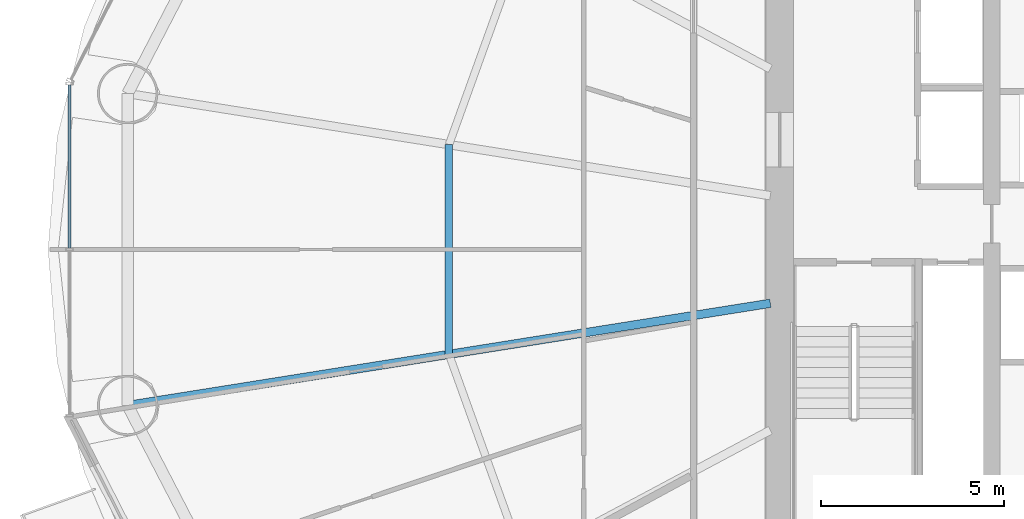
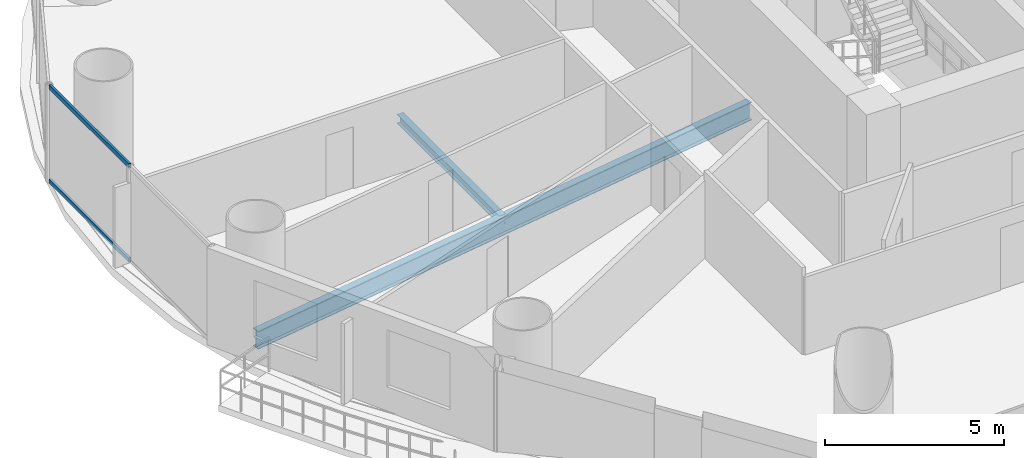
# One storey, part 7 of 29: 2 beams, 2 members, 1 element without a shape of its own.
"""IFC4 building model written with IfcOpenShell, lengths in metres."""

from ifc_helpers import new_model, si_unit, direction, frame, origin, origin_2d, place, context, subcontext, project, spatial, hollow_rectangle, i_section, extrude, source, transform, mapped, material, material_profile, profile_set, type_object, element, aggregate, save


model = new_model("IFC4")

# Units and contexts
model_context = context("Model", 3, precision=1e-05, world=origin(), true_north=direction((-0.2419218956, 0.970295726276)))
body_context = subcontext(model_context, "Body", "Model", "MODEL_VIEW")
ifc_project = project(units=[si_unit("LENGTHUNIT", "METRE"), si_unit("AREAUNIT", "SQUARE_METRE"), si_unit("VOLUMEUNIT", "CUBIC_METRE"), si_unit("PLANEANGLEUNIT", "RADIAN"), si_unit("MASSUNIT", "GRAM", prefix="KILO")], contexts=[model_context])

# Site, building, storey
site_placement = place(None, origin())
site = spatial("IfcSite", under=ifc_project, at=site_placement, CompositionType="ELEMENT")
building_placement = place(site_placement, origin())
building = spatial("IfcBuilding", under=site, at=building_placement, Name="Cobrevalo Terracotta Tower", CompositionType="ELEMENT")
storey_placement = place(building_placement, frame((0.0, 0.0, 67.199951171875)))
storey = spatial("IfcBuildingStorey", under=building, at=storey_placement, Name="L17", CompositionType="ELEMENT", Elevation=67.199951171875)

# Beams
ifc_material_1 = material(Name="Steel S355", Category="steel")
ifc_material_profile_1 = material_profile(ifc_material_1, i_section(OverallWidth=0.22998046875, OverallDepth=0.616943359375, WebThickness=0.01318359375, FlangeThickness=0.022216796875, at=origin_2d()), Name="W 610x140")
ifc_profile_set_1 = profile_set([ifc_material_profile_1], Name="Steel S355")
beam_type_1 = type_object("IfcBeamType", Name="Structural Beam W 610x140 (Steel S355)", PredefinedType="BEAM", material=ifc_profile_set_1)
beam_1_placement = place(storey_placement, frame((11.175537109375, 22.537353515625, -0.58837890625), z_axis=(0.987607924622, 0.156941349628, 0.0), x_axis=(-0.156941349628, 0.987607924622, 0.0)))
element("IfcBeam", 1, at=beam_1_placement, inside=storey, type_object=beam_type_1, Name="L17 radial floor girder 09", PredefinedType="BEAM", context=body_context, shape_type="SweptSolid", body=[
    extrude(i_section(OverallWidth=0.22998046875, OverallDepth=0.616943359375, WebThickness=0.01318359375, FlangeThickness=0.022216796875, at=origin_2d()), origin(), (0.0, 0.0, 1.0), 17.7900390625),
])
ifc_material_profile_2 = material_profile(ifc_material_1, i_section(OverallWidth=0.2041015625, OverallDepth=0.305908203125, WebThickness=0.008544921875, FlangeThickness=0.0146484375, at=origin_2d()), Name="W 310x67")
ifc_profile_set_2 = profile_set([ifc_material_profile_2], Name="Steel S355")
beam_type_2 = type_object("IfcBeamType", Name="Structural Joist W 310x67 (Steel S355)", PredefinedType="JOIST", material=ifc_profile_set_2)
beam_2_placement = place(storey_placement, frame((19.960205078125, 29.666748046875, -0.432861328125), z_axis=(0.0, -1.0, 0.0), x_axis=(1.0, 0.0, 0.0)))
element("IfcBeam", 2, at=beam_2_placement, inside=storey, type_object=beam_type_2, Name="L17 circumferential secondary floor joist 08", PredefinedType="JOIST", context=body_context, shape_type="SweptSolid", body=[
    extrude(i_section(OverallWidth=0.2041015625, OverallDepth=0.305908203125, WebThickness=0.008544921875, FlangeThickness=0.0146484375, at=origin_2d()), origin(), (0.0, 0.0, 1.0), 5.7333984375),
])

# Curtain wall, members
ifc_material_2 = material(Name="Anodized aluminium", Category="aluminium")
curtain_wall_type = type_object("IfcCurtainWallType", Name="Lower-tower unitised acoustic low-E curtain wall CW-U1", PredefinedType="NOTDEFINED", material=ifc_material_2)
curtain_wall_placement = place(storey_placement, origin())
curtain_wall = element("IfcCurtainWall", 3, at=curtain_wall_placement, inside=storey, type_object=curtain_wall_type, Name="L17 curtain wall CW-L17-S08", PredefinedType="NOTDEFINED")
ifc_material_profile_3 = material_profile(ifc_material_2, hollow_rectangle(XDim=0.074951171875, YDim=0.14990234375, WallThickness=0.00439453125, at=origin_2d()), Name="CWT 75x150")
ifc_profile_set_3 = profile_set([ifc_material_profile_3], Name="Anodized aluminium")
member_type = type_object("IfcMemberType", Name="Tower unitised aluminium transom 75x150", PredefinedType="USERDEFINED", material=ifc_profile_set_3)
shared_shape = source(origin(), body_context, "Body", "SweptSolid", [
    extrude(hollow_rectangle(XDim=0.074951171875, YDim=0.14990234375, WallThickness=0.00439453125, at=origin_2d()), origin(), (0.0, 0.0, 1.0), 4.458740234375),
])
member_1_placement = place(storey_placement, frame((9.586669921875, 31.298828125, 0.050048828125), z_axis=(0.0, -1.0, 0.0), x_axis=(1.0, 0.0, 0.0)))
member_1 = element("IfcMember", 4, at=member_1_placement, type_object=member_type, Name="CW-L17-S08 transom B01-T1", ObjectType="TRANSOM", PredefinedType="USERDEFINED", context=body_context, shape_type="MappedRepresentation", body=[
    mapped(shared_shape, transform((0.0, 0.0, 0.0), scale=1.0)),
])
member_2_placement = place(storey_placement, frame((9.586669921875, 31.298828125, 3.27001953125), z_axis=(0.0, -1.0, 0.0), x_axis=(1.0, 0.0, 0.0)))
member_2 = element("IfcMember", 5, at=member_2_placement, type_object=member_type, Name="CW-L17-S08 transom B01-T2", ObjectType="TRANSOM", PredefinedType="USERDEFINED", context=body_context, shape_type="MappedRepresentation", body=[
    mapped(shared_shape, transform((0.0, 0.0, 0.0), scale=1.0)),
])
aggregate(curtain_wall, [member_1, member_2])

save(model, "model.ifc")
